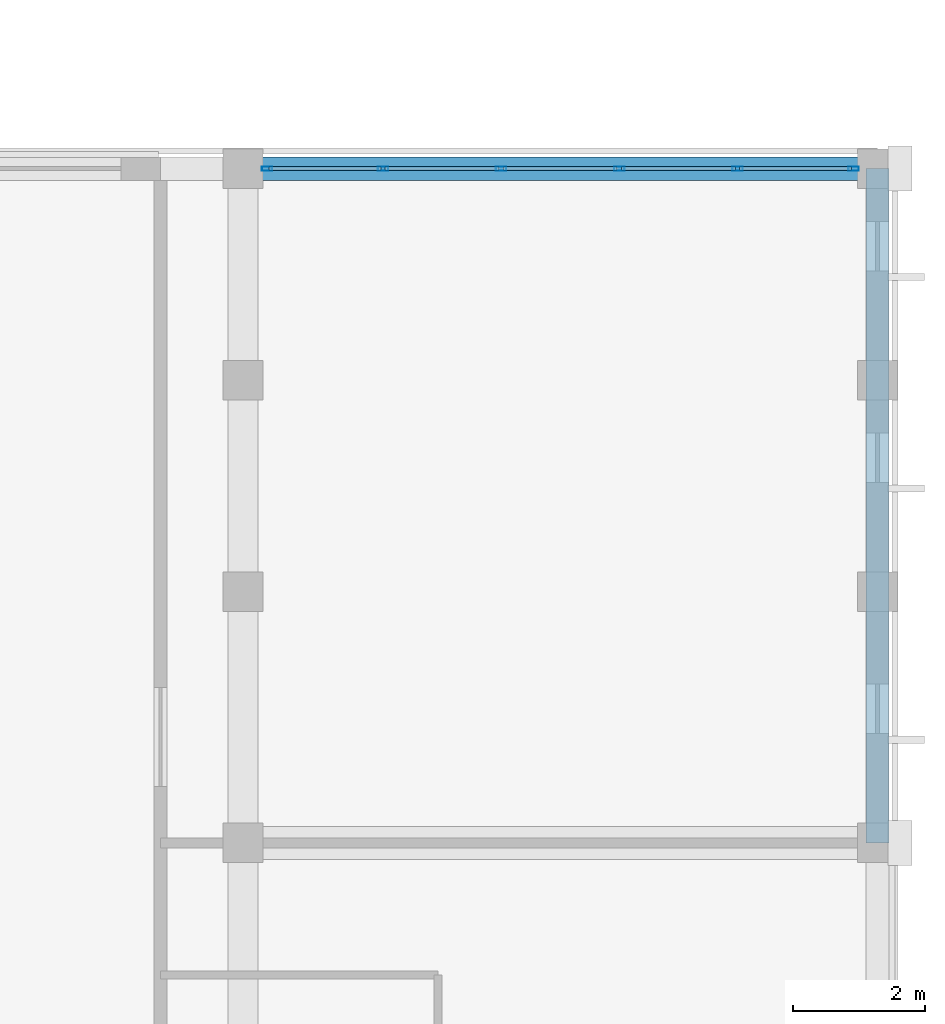
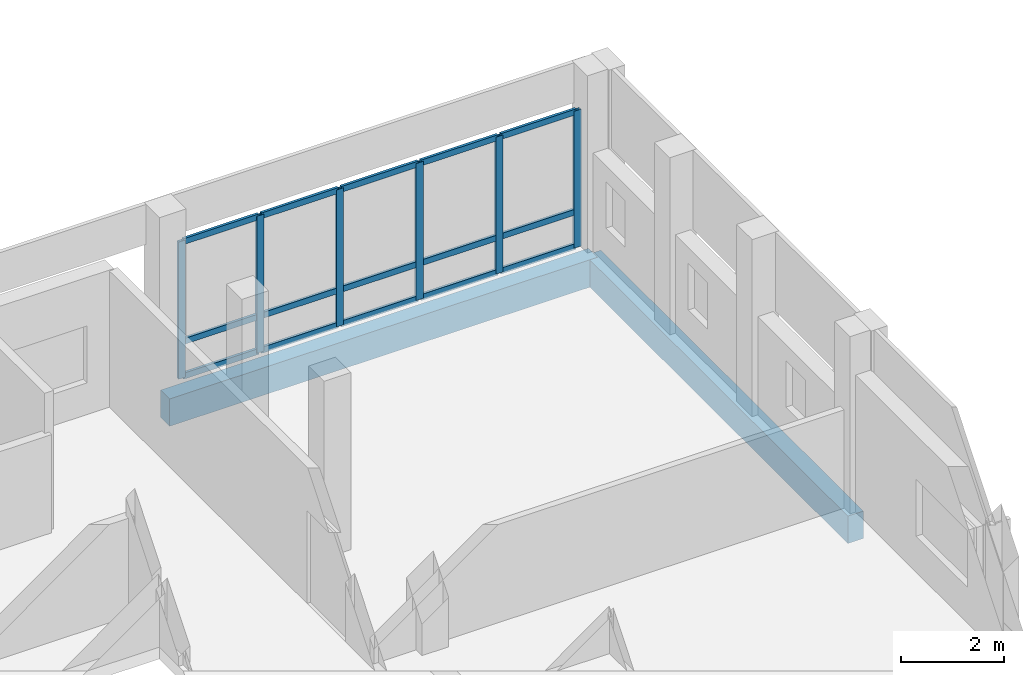
# One storey, part 103 of 185: 21 members, 2 beams, 1 element without a shape of its own.
"""IFC4 building model written with IfcOpenShell, lengths in metres."""

from ifc_helpers import new_model, si_unit, direction, frame, origin, origin_2d, place, context, subcontext, project, spatial, rectangle, hollow_rectangle, extrude, material, material_profile, profile_set, type_object, element, aggregate, save


model = new_model("IFC4")

# Units and contexts
model_context = context("Model", 3, precision=1e-05, world=origin(), true_north=direction((0.0, 1.0)))
body_context = subcontext(model_context, "Body", "Model", "MODEL_VIEW")
ifc_project = project(units=[si_unit("LENGTHUNIT", "METRE"), si_unit("AREAUNIT", "SQUARE_METRE"), si_unit("VOLUMEUNIT", "CUBIC_METRE"), si_unit("PLANEANGLEUNIT", "RADIAN"), si_unit("MASSUNIT", "GRAM", prefix="KILO")], contexts=[model_context])

# Site, building, storey
site_placement = place(None, origin())
site = spatial("IfcSite", under=ifc_project, at=site_placement, CompositionType="ELEMENT")
building_placement = place(site_placement, origin())
building = spatial("IfcBuilding", under=site, at=building_placement, Name="Vondelvale Polytechnic", CompositionType="ELEMENT")
storey_placement = place(building_placement, frame((0.0, 0.0, 9.60009765625)))
storey = spatial("IfcBuildingStorey", under=building, at=storey_placement, Name="L02", CompositionType="ELEMENT", Elevation=9.60009765625)

# Curtain wall, members
ifc_material_1 = material(Name="Anodised extruded aluminium 6063-T6", Category="aluminium")
curtain_wall_type = type_object("IfcCurtainWallType", Name="CW-STUDIO-NORTH", PredefinedType="NOTDEFINED", material=ifc_material_1)
curtain_wall_placement = place(storey_placement, origin())
curtain_wall = element("IfcCurtainWall", 1, at=curtain_wall_placement, inside=storey, type_object=curtain_wall_type, Name="L02 architectural curtain wall CW-01-067", PredefinedType="NOTDEFINED")
ifc_material_profile_1 = material_profile(ifc_material_1, hollow_rectangle(XDim=0.06494140625, YDim=0.159912109375, WallThickness=0.0048828125, at=origin_2d()), Name="CW-MUL-160x65")
ifc_profile_set_1 = profile_set([ifc_material_profile_1], Name="Anodised extruded aluminium 6063-T6")
member_type_1 = type_object("IfcMemberType", Name="CW-MUL-65x160", PredefinedType="MULLION", material=ifc_profile_set_1)
member_1_placement = place(storey_placement, frame((163.5625, 30.60009765625, 0.0), z_axis=(0.0, 0.0, 1.0), x_axis=(0.0, 1.0, 0.0)))
member_1 = element("IfcMember", 2, at=member_1_placement, type_object=member_type_1, Name="CW-01-067 mullion 1", PredefinedType="MULLION", context=body_context, shape_type="SweptSolid", body=[
    extrude(hollow_rectangle(XDim=0.06494140625, YDim=0.159912109375, WallThickness=0.0048828125, at=origin_2d()), origin(), (0.0, 0.0, 1.0), 3.25),
])
member_2_placement = place(storey_placement, frame((165.318115234375, 30.60009765625, 0.0), z_axis=(0.0, 0.0, 1.0), x_axis=(0.0, 1.0, 0.0)))
member_2 = element("IfcMember", 3, at=member_2_placement, type_object=member_type_1, Name="CW-01-067 mullion 2", PredefinedType="MULLION", context=body_context, shape_type="SweptSolid", body=[
    extrude(hollow_rectangle(XDim=0.06494140625, YDim=0.159912109375, WallThickness=0.0048828125, at=origin_2d()), origin(), (0.0, 0.0, 1.0), 3.25),
])
member_3_placement = place(storey_placement, frame((167.10595703125, 30.60009765625, 0.0), z_axis=(0.0, 0.0, 1.0), x_axis=(0.0, 1.0, 0.0)))
member_3 = element("IfcMember", 4, at=member_3_placement, type_object=member_type_1, Name="CW-01-067 mullion 3", PredefinedType="MULLION", context=body_context, shape_type="SweptSolid", body=[
    extrude(hollow_rectangle(XDim=0.06494140625, YDim=0.159912109375, WallThickness=0.0048828125, at=origin_2d()), origin(), (0.0, 0.0, 1.0), 3.25),
])
member_4_placement = place(storey_placement, frame((168.89404296875, 30.60009765625, 0.0), z_axis=(0.0, 0.0, 1.0), x_axis=(0.0, 1.0, 0.0)))
member_4 = element("IfcMember", 5, at=member_4_placement, type_object=member_type_1, Name="CW-01-067 mullion 4", PredefinedType="MULLION", context=body_context, shape_type="SweptSolid", body=[
    extrude(hollow_rectangle(XDim=0.06494140625, YDim=0.159912109375, WallThickness=0.0048828125, at=origin_2d()), origin(), (0.0, 0.0, 1.0), 3.25),
])
member_5_placement = place(storey_placement, frame((170.681884765625, 30.60009765625, 0.0), z_axis=(0.0, 0.0, 1.0), x_axis=(0.0, 1.0, 0.0)))
member_5 = element("IfcMember", 6, at=member_5_placement, type_object=member_type_1, Name="CW-01-067 mullion 5", PredefinedType="MULLION", context=body_context, shape_type="SweptSolid", body=[
    extrude(hollow_rectangle(XDim=0.06494140625, YDim=0.159912109375, WallThickness=0.0048828125, at=origin_2d()), origin(), (0.0, 0.0, 1.0), 3.25),
])
member_6_placement = place(storey_placement, frame((172.4375, 30.60009765625, 0.0), z_axis=(0.0, 0.0, 1.0), x_axis=(0.0, 1.0, 0.0)))
member_6 = element("IfcMember", 7, at=member_6_placement, type_object=member_type_1, Name="CW-01-067 mullion 6", PredefinedType="MULLION", context=body_context, shape_type="SweptSolid", body=[
    extrude(hollow_rectangle(XDim=0.06494140625, YDim=0.159912109375, WallThickness=0.0048828125, at=origin_2d()), origin(), (0.0, 0.0, 1.0), 3.25),
])
ifc_material_profile_2 = material_profile(ifc_material_1, hollow_rectangle(XDim=0.06005859375, YDim=0.139892578125, WallThickness=0.00341796875, at=origin_2d()), Name="CW-TRN-140x60")
ifc_profile_set_2 = profile_set([ifc_material_profile_2], Name="Anodised extruded aluminium 6063-T6")
member_type_2 = type_object("IfcMemberType", Name="CW-TRN-60x140", PredefinedType="USERDEFINED", material=ifc_profile_set_2)
member_7_placement = place(storey_placement, frame((163.594970703125, 30.60009765625, 0.02978515625), z_axis=(1.0, 0.0, 0.0), x_axis=(0.0, 1.0, 0.0)))
member_7 = element("IfcMember", 8, at=member_7_placement, type_object=member_type_2, Name="CW-01-067 transom 1.1", ObjectType="TRANSOM", PredefinedType="USERDEFINED", context=body_context, shape_type="SweptSolid", body=[
    extrude(hollow_rectangle(XDim=0.06005859375, YDim=0.139892578125, WallThickness=0.00341796875, at=origin_2d()), origin(), (0.0, 0.0, 1.0), 1.6904296875),
])
member_8_placement = place(storey_placement, frame((163.594970703125, 30.60009765625, 0.849853515625), z_axis=(1.0, 0.0, 0.0), x_axis=(0.0, 1.0, 0.0)))
member_8 = element("IfcMember", 9, at=member_8_placement, type_object=member_type_2, Name="CW-01-067 transom 1.2", ObjectType="TRANSOM", PredefinedType="USERDEFINED", context=body_context, shape_type="SweptSolid", body=[
    extrude(hollow_rectangle(XDim=0.06005859375, YDim=0.139892578125, WallThickness=0.00341796875, at=origin_2d()), origin(), (0.0, 0.0, 1.0), 1.6904296875),
])
member_9_placement = place(storey_placement, frame((163.594970703125, 30.60009765625, 3.219970703125), z_axis=(1.0, 0.0, 0.0), x_axis=(0.0, 1.0, 0.0)))
member_9 = element("IfcMember", 10, at=member_9_placement, type_object=member_type_2, Name="CW-01-067 transom 1.3", ObjectType="TRANSOM", PredefinedType="USERDEFINED", context=body_context, shape_type="SweptSolid", body=[
    extrude(hollow_rectangle(XDim=0.06005859375, YDim=0.139892578125, WallThickness=0.00341796875, at=origin_2d()), origin(), (0.0, 0.0, 1.0), 1.6904296875),
])
member_10_placement = place(storey_placement, frame((165.3505859375, 30.60009765625, 0.02978515625), z_axis=(1.0, 0.0, 0.0), x_axis=(0.0, 1.0, 0.0)))
member_10 = element("IfcMember", 11, at=member_10_placement, type_object=member_type_2, Name="CW-01-067 transom 2.1", ObjectType="TRANSOM", PredefinedType="USERDEFINED", context=body_context, shape_type="SweptSolid", body=[
    extrude(hollow_rectangle(XDim=0.06005859375, YDim=0.139892578125, WallThickness=0.00341796875, at=origin_2d()), origin(), (0.0, 0.0, 1.0), 1.722900390625),
])
member_11_placement = place(storey_placement, frame((165.3505859375, 30.60009765625, 0.849853515625), z_axis=(1.0, 0.0, 0.0), x_axis=(0.0, 1.0, 0.0)))
member_11 = element("IfcMember", 12, at=member_11_placement, type_object=member_type_2, Name="CW-01-067 transom 2.2", ObjectType="TRANSOM", PredefinedType="USERDEFINED", context=body_context, shape_type="SweptSolid", body=[
    extrude(hollow_rectangle(XDim=0.06005859375, YDim=0.139892578125, WallThickness=0.00341796875, at=origin_2d()), origin(), (0.0, 0.0, 1.0), 1.722900390625),
])
member_12_placement = place(storey_placement, frame((165.3505859375, 30.60009765625, 3.219970703125), z_axis=(1.0, 0.0, 0.0), x_axis=(0.0, 1.0, 0.0)))
member_12 = element("IfcMember", 13, at=member_12_placement, type_object=member_type_2, Name="CW-01-067 transom 2.3", ObjectType="TRANSOM", PredefinedType="USERDEFINED", context=body_context, shape_type="SweptSolid", body=[
    extrude(hollow_rectangle(XDim=0.06005859375, YDim=0.139892578125, WallThickness=0.00341796875, at=origin_2d()), origin(), (0.0, 0.0, 1.0), 1.722900390625),
])
member_13_placement = place(storey_placement, frame((167.138427734375, 30.60009765625, 0.02978515625), z_axis=(1.0, 0.0, 0.0), x_axis=(0.0, 1.0, 0.0)))
member_13 = element("IfcMember", 14, at=member_13_placement, type_object=member_type_2, Name="CW-01-067 transom 3.1", ObjectType="TRANSOM", PredefinedType="USERDEFINED", context=body_context, shape_type="SweptSolid", body=[
    extrude(hollow_rectangle(XDim=0.06005859375, YDim=0.139892578125, WallThickness=0.00341796875, at=origin_2d()), origin(), (0.0, 0.0, 1.0), 1.72314453125),
])
member_14_placement = place(storey_placement, frame((167.138427734375, 30.60009765625, 0.849853515625), z_axis=(1.0, 0.0, 0.0), x_axis=(0.0, 1.0, 0.0)))
member_14 = element("IfcMember", 15, at=member_14_placement, type_object=member_type_2, Name="CW-01-067 transom 3.2", ObjectType="TRANSOM", PredefinedType="USERDEFINED", context=body_context, shape_type="SweptSolid", body=[
    extrude(hollow_rectangle(XDim=0.06005859375, YDim=0.139892578125, WallThickness=0.00341796875, at=origin_2d()), origin(), (0.0, 0.0, 1.0), 1.72314453125),
])
member_15_placement = place(storey_placement, frame((167.138427734375, 30.60009765625, 3.219970703125), z_axis=(1.0, 0.0, 0.0), x_axis=(0.0, 1.0, 0.0)))
member_15 = element("IfcMember", 16, at=member_15_placement, type_object=member_type_2, Name="CW-01-067 transom 3.3", ObjectType="TRANSOM", PredefinedType="USERDEFINED", context=body_context, shape_type="SweptSolid", body=[
    extrude(hollow_rectangle(XDim=0.06005859375, YDim=0.139892578125, WallThickness=0.00341796875, at=origin_2d()), origin(), (0.0, 0.0, 1.0), 1.72314453125),
])
member_16_placement = place(storey_placement, frame((168.926513671875, 30.60009765625, 0.02978515625), z_axis=(1.0, 0.0, 0.0), x_axis=(0.0, 1.0, 0.0)))
member_16 = element("IfcMember", 17, at=member_16_placement, type_object=member_type_2, Name="CW-01-067 transom 4.1", ObjectType="TRANSOM", PredefinedType="USERDEFINED", context=body_context, shape_type="SweptSolid", body=[
    extrude(hollow_rectangle(XDim=0.06005859375, YDim=0.139892578125, WallThickness=0.00341796875, at=origin_2d()), origin(), (0.0, 0.0, 1.0), 1.722900390625),
])
member_17_placement = place(storey_placement, frame((168.926513671875, 30.60009765625, 0.849853515625), z_axis=(1.0, 0.0, 0.0), x_axis=(0.0, 1.0, 0.0)))
member_17 = element("IfcMember", 18, at=member_17_placement, type_object=member_type_2, Name="CW-01-067 transom 4.2", ObjectType="TRANSOM", PredefinedType="USERDEFINED", context=body_context, shape_type="SweptSolid", body=[
    extrude(hollow_rectangle(XDim=0.06005859375, YDim=0.139892578125, WallThickness=0.00341796875, at=origin_2d()), origin(), (0.0, 0.0, 1.0), 1.722900390625),
])
member_18_placement = place(storey_placement, frame((168.926513671875, 30.60009765625, 3.219970703125), z_axis=(1.0, 0.0, 0.0), x_axis=(0.0, 1.0, 0.0)))
member_18 = element("IfcMember", 19, at=member_18_placement, type_object=member_type_2, Name="CW-01-067 transom 4.3", ObjectType="TRANSOM", PredefinedType="USERDEFINED", context=body_context, shape_type="SweptSolid", body=[
    extrude(hollow_rectangle(XDim=0.06005859375, YDim=0.139892578125, WallThickness=0.00341796875, at=origin_2d()), origin(), (0.0, 0.0, 1.0), 1.722900390625),
])
member_19_placement = place(storey_placement, frame((170.714599609375, 30.60009765625, 0.02978515625), z_axis=(1.0, 0.0, 0.0), x_axis=(0.0, 1.0, 0.0)))
member_19 = element("IfcMember", 20, at=member_19_placement, type_object=member_type_2, Name="CW-01-067 transom 5.1", ObjectType="TRANSOM", PredefinedType="USERDEFINED", context=body_context, shape_type="SweptSolid", body=[
    extrude(hollow_rectangle(XDim=0.06005859375, YDim=0.139892578125, WallThickness=0.00341796875, at=origin_2d()), origin(), (0.0, 0.0, 1.0), 1.6904296875),
])
member_20_placement = place(storey_placement, frame((170.714599609375, 30.60009765625, 0.849853515625), z_axis=(1.0, 0.0, 0.0), x_axis=(0.0, 1.0, 0.0)))
member_20 = element("IfcMember", 21, at=member_20_placement, type_object=member_type_2, Name="CW-01-067 transom 5.2", ObjectType="TRANSOM", PredefinedType="USERDEFINED", context=body_context, shape_type="SweptSolid", body=[
    extrude(hollow_rectangle(XDim=0.06005859375, YDim=0.139892578125, WallThickness=0.00341796875, at=origin_2d()), origin(), (0.0, 0.0, 1.0), 1.6904296875),
])
member_21_placement = place(storey_placement, frame((170.714599609375, 30.60009765625, 3.219970703125), z_axis=(1.0, 0.0, 0.0), x_axis=(0.0, 1.0, 0.0)))
member_21 = element("IfcMember", 22, at=member_21_placement, type_object=member_type_2, Name="CW-01-067 transom 5.3", ObjectType="TRANSOM", PredefinedType="USERDEFINED", context=body_context, shape_type="SweptSolid", body=[
    extrude(hollow_rectangle(XDim=0.06005859375, YDim=0.139892578125, WallThickness=0.00341796875, at=origin_2d()), origin(), (0.0, 0.0, 1.0), 1.6904296875),
])
aggregate(curtain_wall, [member_1, member_2, member_3, member_4, member_5, member_6, member_7, member_8, member_9, member_10, member_11, member_12, member_13, member_14, member_15, member_16, member_17, member_18, member_19, member_20, member_21])

# Beams
ifc_material_2 = material(Name="Precast concrete N40 (f'c = 40 MPa)", Category="concrete")
ifc_material_profile_3 = material_profile(ifc_material_2, rectangle(XDim=0.35009765625, YDim=0.64990234375, at=origin_2d()), Name="RC-SPN-350x650")
ifc_profile_set_3 = profile_set([ifc_material_profile_3], Name="Precast concrete N40 (f'c = 40 MPa)")
beam_type = type_object("IfcBeamType", Name="SPN-PRE350x650", PredefinedType="SPANDREL", material=ifc_profile_set_3)
beam_1_placement = place(storey_placement, frame((163.199951171875, 30.60009765625, -0.60498046875), z_axis=(1.0, 0.0, 0.0), x_axis=(0.0, 1.0, 0.0)))
element("IfcBeam", 23, at=beam_1_placement, inside=storey, type_object=beam_type, Name="L02 B SP-02", PredefinedType="SPANDREL", context=body_context, shape_type="SweptSolid", body=[
    extrude(rectangle(XDim=0.35009765625, YDim=0.64990234375, at=origin_2d()), origin(), (0.0, 0.0, 1.0), 9.60009765625),
])
beam_2_placement = place(storey_placement, frame((172.800048828125, 20.39990234375, -0.60498046875), z_axis=(0.0, 1.0, 0.0), x_axis=(-1.0, 0.0, 0.0)))
element("IfcBeam", 24, at=beam_2_placement, inside=storey, type_object=beam_type, Name="L02 B SP-02", PredefinedType="SPANDREL", context=body_context, shape_type="SweptSolid", body=[
    extrude(rectangle(XDim=0.35009765625, YDim=0.64990234375, at=origin_2d()), origin(), (0.0, 0.0, 1.0), 10.2001953125),
])

save(model, "model.ifc")
